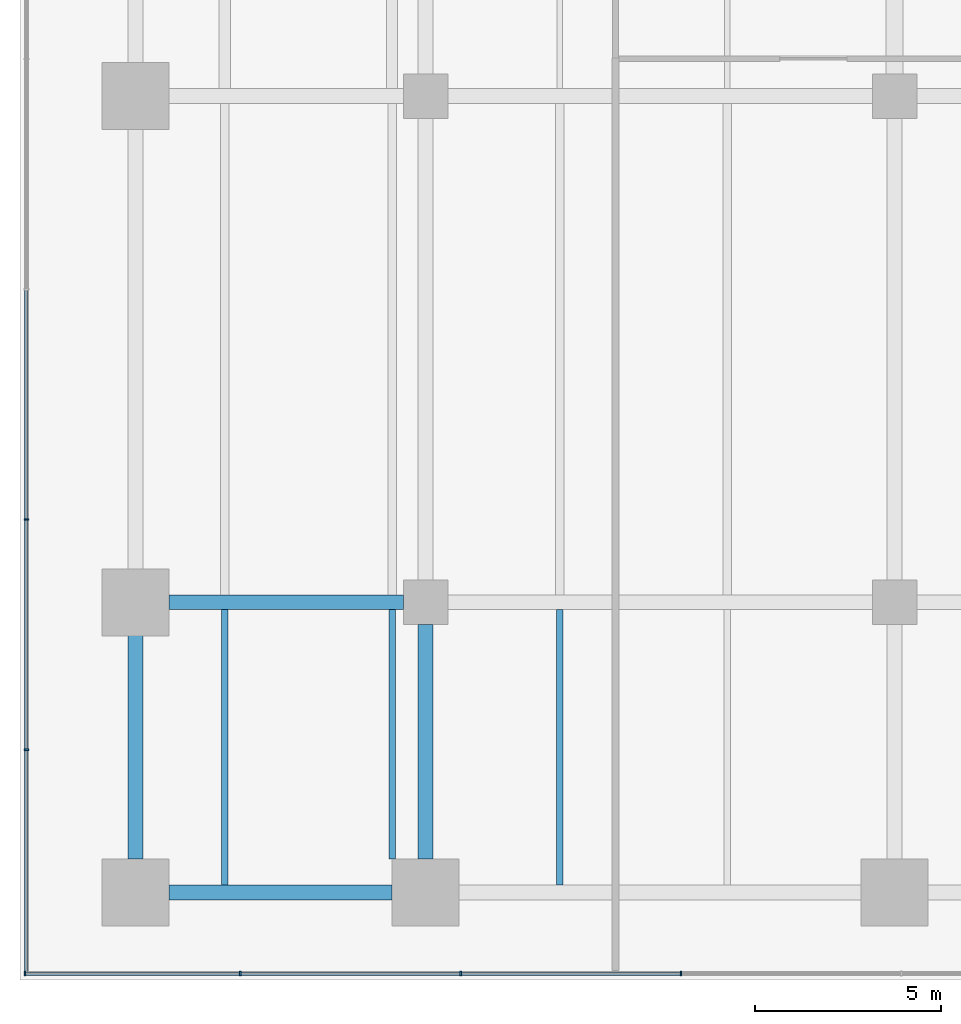
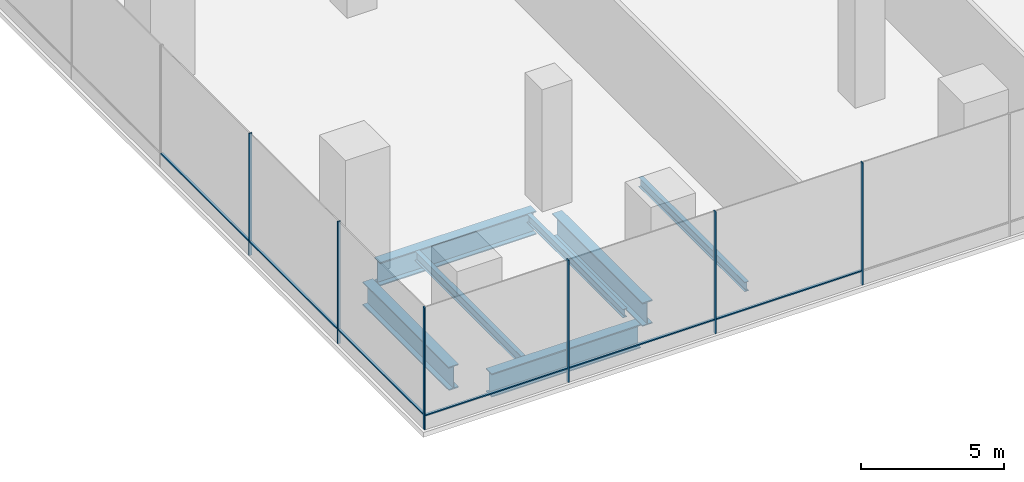
# One storey, part 2 of 26: 12 members, 7 beams, 2 elements without a shape of their own.
"""IFC4 building model written with IfcOpenShell, lengths in metres."""

from ifc_helpers import new_model, si_unit, direction, frame, origin, origin_2d, place, context, subcontext, project, spatial, rectangle, i_section, extrude, material, layer, layer_set, material_profile, profile_set, type_object, element, aggregate, save


model = new_model("IFC4")

# Units and contexts
model_context = context("Model", 3, precision=1e-05, world=origin(), true_north=direction((0.0, 1.0)))
body_context = subcontext(model_context, "Body", "Model", "MODEL_VIEW")
ifc_project = project(units=[si_unit("LENGTHUNIT", "METRE"), si_unit("AREAUNIT", "SQUARE_METRE"), si_unit("VOLUMEUNIT", "CUBIC_METRE"), si_unit("PLANEANGLEUNIT", "RADIAN"), si_unit("MASSUNIT", "GRAM", prefix="KILO")], contexts=[model_context])

# Site, building, storey
site_placement = place(None, origin())
site = spatial("IfcSite", under=ifc_project, at=site_placement, CompositionType="ELEMENT")
building_placement = place(site_placement, origin())
building = spatial("IfcBuilding", under=site, at=building_placement, Name="Rattan Terrace Tower", CompositionType="ELEMENT")
storey_placement = place(building_placement, frame((0.0, 0.0, 7.199951171875)))
storey = spatial("IfcBuildingStorey", under=building, at=storey_placement, Name="L01", CompositionType="ELEMENT", Elevation=7.199951171875)

# Beams
ifc_material_1 = material(Name="Steel S355", Category="steel")
ifc_material_profile_1 = material_profile(ifc_material_1, i_section(OverallWidth=0.169921875, OverallDepth=0.360107421875, WebThickness=0.008056640625, FlangeThickness=0.0126953125, FilletRadius=0.01806640625, at=origin_2d()), Name="IPE 360")
ifc_profile_set_1 = profile_set([ifc_material_profile_1], Name="Steel S355")
beam_type_1 = type_object("IfcBeamType", Name="Frame floor beam IPE 360", PredefinedType="JOIST", material=ifc_profile_set_1)
beam_placement = place(storey_placement, frame((-27.0, -34.0, -0.3798828125), z_axis=(0.0, 1.0, 0.0), x_axis=(-1.0, 0.0, 0.0)))
element("IfcBeam", 1, at=beam_placement, inside=storey, type_object=beam_type_1, Name="bm-L01-013", PredefinedType="JOIST", context=body_context, shape_type="SweptSolid", body=[
    extrude(i_section(OverallWidth=0.169921875, OverallDepth=0.360107421875, WebThickness=0.008056640625, FlangeThickness=0.0126953125, FilletRadius=0.01806640625, at=origin_2d()), origin(), (0.0, 0.0, 1.0), 6.699951171875),
])
ifc_material_2 = material(Name="Steel S355", Category="steel")
ifc_material_profile_2 = material_profile(ifc_material_2, i_section(OverallWidth=0.179931640625, OverallDepth=0.39990234375, WebThickness=0.008544921875, FlangeThickness=0.013427734375, FilletRadius=0.02099609375, at=origin_2d()), Name="IPE 400")
ifc_profile_set_2 = profile_set([ifc_material_profile_2], Name="Steel S355")
beam_type_2 = type_object("IfcBeamType", Name="Frame floor beam IPE 400", PredefinedType="JOIST", material=ifc_profile_set_2)
for number, where, z_axis, x_axis, name in (
    (2, (-31.5, -34.699951171875, -0.39990234375), (0.0, 1.0, 0.0), (-1.0, 0.0, 0.0), "bm-L01-003"),
    (3, (-22.5, -34.699951171875, -0.39990234375), (0.0, 1.0, 0.0), (-1.0, 0.0, 0.0), "bm-L01-004"),
):
    element("IfcBeam", number, at=place(storey_placement, frame(where, z_axis=z_axis, x_axis=x_axis)), inside=storey, type_object=beam_type_2, Name=name, PredefinedType="JOIST", context=body_context, shape_type="SweptSolid", body=[
        extrude(i_section(OverallWidth=0.179931640625, OverallDepth=0.39990234375, WebThickness=0.008544921875, FlangeThickness=0.013427734375, FilletRadius=0.02099609375, at=origin_2d()), origin(), (0.0, 0.0, 1.0), 7.39990234375),
    ])
ifc_material_3 = material(Name="Steel S460", Category="steel")
ifc_material_profile_3 = material_profile(ifc_material_3, i_section(OverallWidth=0.39990234375, OverallDepth=1.0, WebThickness=0.01806640625, FlangeThickness=0.044921875, at=origin_2d()), Name="PG 1000x400-18-45")
ifc_profile_set_3 = profile_set([ifc_material_profile_3], Name="Steel S460")
beam_type_3 = type_object("IfcBeamType", Name="Frame podium girder PG 1000x400-18-45", PredefinedType="USERDEFINED", material=ifc_profile_set_3)
for number, where, z_axis, x_axis, name in (
    (4, (-33.0, -34.89990234375, -0.699951171875), (1.0, 0.0, 0.0), (0.0, 1.0, 0.0), "gdr-L01-001"),
    (5, (-33.89990234375, -34.0, -0.699951171875), (0.0, 1.0, 0.0), (-1.0, 0.0, 0.0), "gdr-L01-007"),
):
    element("IfcBeam", number, at=place(storey_placement, frame(where, z_axis=z_axis, x_axis=x_axis)), inside=storey, type_object=beam_type_3, Name=name, ObjectType="PODIUM GIRDER", PredefinedType="USERDEFINED", context=body_context, shape_type="SweptSolid", body=[
        extrude(i_section(OverallWidth=0.39990234375, OverallDepth=1.0, WebThickness=0.01806640625, FlangeThickness=0.044921875, at=origin_2d()), origin(), (0.0, 0.0, 1.0), 6.0),
    ])
for number, where, z_axis, x_axis, name in (
    (6, (-26.10009765625, -34.0, -0.699951171875), (0.0, 1.0, 0.0), (-1.0, 0.0, 0.0), "gdr-L01-008"),
    (7, (-33.0, -27.10009765625, -0.699951171875), (1.0, 0.0, 0.0), (0.0, 1.0, 0.0), "gdr-L01-014"),
):
    element("IfcBeam", number, at=place(storey_placement, frame(where, z_axis=z_axis, x_axis=x_axis)), inside=storey, type_object=beam_type_3, Name=name, ObjectType="PODIUM GIRDER", PredefinedType="USERDEFINED", context=body_context, shape_type="SweptSolid", body=[
        extrude(i_section(OverallWidth=0.39990234375, OverallDepth=1.0, WebThickness=0.01806640625, FlangeThickness=0.044921875, at=origin_2d()), origin(), (0.0, 0.0, 1.0), 6.300048828125),
    ])

# Curtain wall, members
ifc_material_4 = material(Name="Aluminium and glass", Category="aluminium")
ifc_layer = layer(ifc_material_4, 0.1201171875)
ifc_layer_set = layer_set([ifc_layer], Name="Station Storefront Curtain Wall")
curtain_wall_type = type_object("IfcCurtainWallType", Name="Station Storefront Curtain Wall", PredefinedType="NOTDEFINED", material=ifc_layer_set)
curtain_wall_1_placement = place(storey_placement, origin())
curtain_wall_1 = element("IfcCurtainWall", 8, at=curtain_wall_1_placement, inside=storey, type_object=curtain_wall_type, Name="Storefront curtain wall L01-3", PredefinedType="NOTDEFINED")
ifc_material_5 = material(Name="Aluminium", Category="aluminium")
ifc_material_profile_4 = material_profile(ifc_material_5, rectangle(XDim=0.050048828125, YDim=0.1201171875, at=origin_2d()), Name="Aluminium 50x120")
ifc_profile_set_4 = profile_set([ifc_material_profile_4], Name="Aluminium")
member_type_1 = type_object("IfcMemberType", Name="Storefront CW Mullion 50x120", PredefinedType="MULLION", material=ifc_profile_set_4)
member_1_placement = place(storey_placement, frame((-36.830078125, -24.8779296875, 0.0), z_axis=(0.0, 0.0, 1.0), x_axis=(0.0, -1.0, 0.0)))
member_1 = element("IfcMember", 9, at=member_1_placement, type_object=member_type_1, Name="Mullion cwl-L01-003.7", PredefinedType="MULLION", context=body_context, shape_type="SweptSolid", body=[
    extrude(rectangle(XDim=0.050048828125, YDim=0.1201171875, at=origin_2d()), origin(), (0.0, 0.0, 1.0), 5.199951171875),
])
member_2_placement = place(storey_placement, frame((-36.830078125, -31.06591796875, 0.0), z_axis=(0.0, 0.0, 1.0), x_axis=(0.0, -1.0, 0.0)))
member_2 = element("IfcMember", 10, at=member_2_placement, type_object=member_type_1, Name="Mullion cwl-L01-003.8", PredefinedType="MULLION", context=body_context, shape_type="SweptSolid", body=[
    extrude(rectangle(XDim=0.050048828125, YDim=0.1201171875, at=origin_2d()), origin(), (0.0, 0.0, 1.0), 5.199951171875),
])

curtain_wall_2_placement = place(storey_placement, origin())
curtain_wall_2 = element("IfcCurtainWall", 11, at=curtain_wall_2_placement, inside=storey, type_object=curtain_wall_type, Name="Storefront curtain wall L01-4", PredefinedType="NOTDEFINED")
member_3_placement = place(storey_placement, frame((-36.864990234375, -37.080078125, 0.0), z_axis=(0.0, 0.0, 1.0), x_axis=(1.0, 0.0, 0.0)))
member_3 = element("IfcMember", 12, at=member_3_placement, type_object=member_type_1, Name="Mullion cwl-L01-004.1", PredefinedType="MULLION", context=body_context, shape_type="SweptSolid", body=[
    extrude(rectangle(XDim=0.050048828125, YDim=0.1201171875, at=origin_2d()), origin(), (0.0, 0.0, 1.0), 5.199951171875),
])
member_4_placement = place(storey_placement, frame((-31.080078125, -37.080078125, 0.0), z_axis=(0.0, 0.0, 1.0), x_axis=(1.0, 0.0, 0.0)))
member_4 = element("IfcMember", 13, at=member_4_placement, type_object=member_type_1, Name="Mullion cwl-L01-004.2", PredefinedType="MULLION", context=body_context, shape_type="SweptSolid", body=[
    extrude(rectangle(XDim=0.050048828125, YDim=0.1201171875, at=origin_2d()), origin(), (0.0, 0.0, 1.0), 5.199951171875),
])
member_5_placement = place(storey_placement, frame((-25.159912109375, -37.080078125, 0.0), z_axis=(0.0, 0.0, 1.0), x_axis=(1.0, 0.0, 0.0)))
member_5 = element("IfcMember", 14, at=member_5_placement, type_object=member_type_1, Name="Mullion cwl-L01-004.3", PredefinedType="MULLION", context=body_context, shape_type="SweptSolid", body=[
    extrude(rectangle(XDim=0.050048828125, YDim=0.1201171875, at=origin_2d()), origin(), (0.0, 0.0, 1.0), 5.199951171875),
])
member_6_placement = place(storey_placement, frame((-19.239990234375, -37.080078125, 0.0), z_axis=(0.0, 0.0, 1.0), x_axis=(1.0, 0.0, 0.0)))
member_6 = element("IfcMember", 15, at=member_6_placement, type_object=member_type_1, Name="Mullion cwl-L01-004.4", PredefinedType="MULLION", context=body_context, shape_type="SweptSolid", body=[
    extrude(rectangle(XDim=0.050048828125, YDim=0.1201171875, at=origin_2d()), origin(), (0.0, 0.0, 1.0), 5.199951171875),
])

# Member
ifc_material_6 = material(Name="Aluminium", Category="aluminium")
ifc_material_profile_5 = material_profile(ifc_material_6, rectangle(XDim=0.10009765625, YDim=0.050048828125, at=origin_2d()), Name="Aluminium 100x50")
ifc_profile_set_5 = profile_set([ifc_material_profile_5], Name="Aluminium")
member_type_2 = type_object("IfcMemberType", Name="Storefront CW Transom 100x50", PredefinedType="USERDEFINED", material=ifc_profile_set_5)
member_7_placement = place(storey_placement, frame((-36.830078125, -18.715087890625, 0.60009765625), z_axis=(0.0, -1.0, 0.0), x_axis=(1.0, 0.0, 0.0)))
member_7 = element("IfcMember", 16, at=member_7_placement, type_object=member_type_2, Name="Transom cwl-L01-003.6", ObjectType="TRANSOM", PredefinedType="USERDEFINED", context=body_context, shape_type="SweptSolid", body=[
    extrude(rectangle(XDim=0.10009765625, YDim=0.050048828125, at=origin_2d()), origin(), (0.0, 0.0, 1.0), 6.137939453125),
])

member_8_placement = place(storey_placement, frame((-36.830078125, -24.903076171875, 0.60009765625), z_axis=(0.0, -1.0, 0.0), x_axis=(1.0, 0.0, 0.0)))
member_8 = element("IfcMember", 17, at=member_8_placement, type_object=member_type_2, Name="Transom cwl-L01-003.7", ObjectType="TRANSOM", PredefinedType="USERDEFINED", context=body_context, shape_type="SweptSolid", body=[
    extrude(rectangle(XDim=0.10009765625, YDim=0.050048828125, at=origin_2d()), origin(), (0.0, 0.0, 1.0), 6.137939453125),
])

member_9_placement = place(storey_placement, frame((-36.830078125, -31.091064453125, 0.60009765625), z_axis=(0.0, -1.0, 0.0), x_axis=(1.0, 0.0, 0.0)))
member_9 = element("IfcMember", 18, at=member_9_placement, type_object=member_type_2, Name="Transom cwl-L01-003.8", ObjectType="TRANSOM", PredefinedType="USERDEFINED", context=body_context, shape_type="SweptSolid", body=[
    extrude(rectangle(XDim=0.10009765625, YDim=0.050048828125, at=origin_2d()), origin(), (0.0, 0.0, 1.0), 5.928955078125),
])

aggregate(curtain_wall_1, [member_1, member_2, member_7, member_8, member_9])

member_10_placement = place(storey_placement, frame((-36.840087890625, -37.080078125, 0.60009765625), z_axis=(1.0, 0.0, 0.0), x_axis=(0.0, 1.0, 0.0)))
member_10 = element("IfcMember", 19, at=member_10_placement, type_object=member_type_2, Name="Transom cwl-L01-004.1", ObjectType="TRANSOM", PredefinedType="USERDEFINED", context=body_context, shape_type="SweptSolid", body=[
    extrude(rectangle(XDim=0.10009765625, YDim=0.050048828125, at=origin_2d()), origin(), (0.0, 0.0, 1.0), 5.735107421875),
])

member_11_placement = place(storey_placement, frame((-31.054931640625, -37.080078125, 0.60009765625), z_axis=(1.0, 0.0, 0.0), x_axis=(0.0, 1.0, 0.0)))
member_11 = element("IfcMember", 20, at=member_11_placement, type_object=member_type_2, Name="Transom cwl-L01-004.2", ObjectType="TRANSOM", PredefinedType="USERDEFINED", context=body_context, shape_type="SweptSolid", body=[
    extrude(rectangle(XDim=0.10009765625, YDim=0.050048828125, at=origin_2d()), origin(), (0.0, 0.0, 1.0), 5.869873046875),
])

member_12_placement = place(storey_placement, frame((-25.135009765625, -37.080078125, 0.60009765625), z_axis=(1.0, 0.0, 0.0), x_axis=(0.0, 1.0, 0.0)))
member_12 = element("IfcMember", 21, at=member_12_placement, type_object=member_type_2, Name="Transom cwl-L01-004.3", ObjectType="TRANSOM", PredefinedType="USERDEFINED", context=body_context, shape_type="SweptSolid", body=[
    extrude(rectangle(XDim=0.10009765625, YDim=0.050048828125, at=origin_2d()), origin(), (0.0, 0.0, 1.0), 5.8701171875),
])

aggregate(curtain_wall_2, [member_3, member_4, member_5, member_6, member_10, member_11, member_12])

save(model, "model.ifc")
